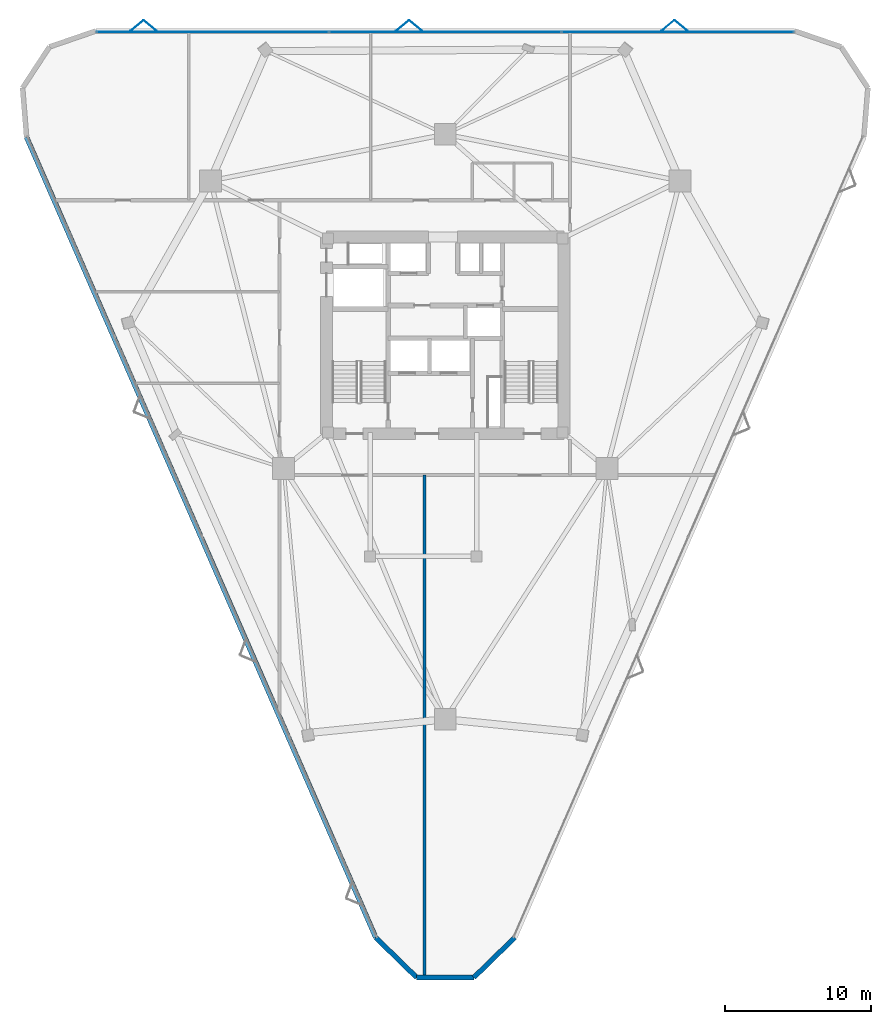
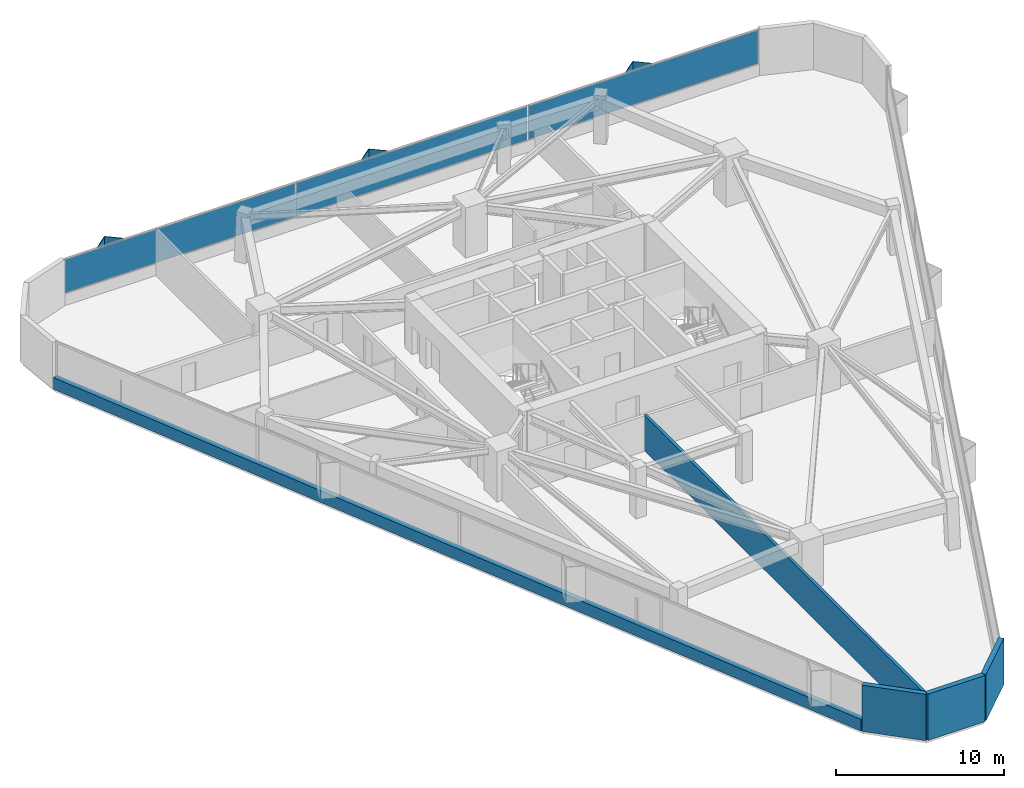
# One storey, part 11 of 14: 9 plates, 5 walls, 1 element without a shape of its own.
"""IFC4 building model written with IfcOpenShell, lengths in metres."""

from ifc_helpers import new_model, si_unit, direction, frame, frame_2d, origin, origin_2d, place, context, subcontext, project, spatial, rectangle, extrude, material, layer, layer_set, type_object, element, aggregate, save


model = new_model("IFC4")

# Units and contexts
model_context = context("Model", 3, precision=1e-05, world=origin(), true_north=direction((0.0, 1.0)))
body_context = subcontext(model_context, "Body", "Model", "MODEL_VIEW")
ifc_project = project(units=[si_unit("LENGTHUNIT", "METRE"), si_unit("AREAUNIT", "SQUARE_METRE"), si_unit("VOLUMEUNIT", "CUBIC_METRE"), si_unit("PLANEANGLEUNIT", "RADIAN"), si_unit("MASSUNIT", "GRAM", prefix="KILO")], contexts=[model_context])

# Site, building, storey
site_placement = place(None, origin())
site = spatial("IfcSite", under=ifc_project, at=site_placement, CompositionType="ELEMENT")
building_placement = place(site_placement, origin())
building = spatial("IfcBuilding", under=site, at=building_placement, Name="Talyreon Biosciences Tower", CompositionType="ELEMENT")
storey_placement = place(building_placement, frame((0.0, 0.0, 141.800048828125)))
storey = spatial("IfcBuildingStorey", under=building, at=storey_placement, Name="L37", CompositionType="ELEMENT", Elevation=141.800048828125)

# Curtain wall, plates
ifc_material_1 = material(Name="Thermally broken aluminium and low-E glazing", Category="aluminium")
ifc_layer_1 = layer(ifc_material_1, 0.18505859375)
ifc_layer_set_1 = layer_set([ifc_layer_1], Name="Thermally broken aluminium and low-E glazing")
curtain_wall_type = type_object("IfcCurtainWallType", Name="CurtainWall_Zone3Bioprocess", PredefinedType="NOTDEFINED", material=ifc_layer_set_1)
curtain_wall_placement = place(storey_placement, origin())
curtain_wall = element("IfcCurtainWall", 1, at=curtain_wall_placement, inside=storey, type_object=curtain_wall_type, Name="L37 Unitised Curtain Wall FCW-L37-04", PredefinedType="NOTDEFINED")
ifc_material_2 = material(Name="Triple-silver low-E insulated glazing", Category="glass")
ifc_layer_2 = layer(ifc_material_2, 0.031982421875)
ifc_layer_set_2 = layer_set([ifc_layer_2], Name="Triple-silver low-E insulated glazing")
plate_type_1 = type_object("IfcPlateType", Name="CWGlazingPanel_32", PredefinedType="CURTAIN_PANEL", material=ifc_layer_set_2)
plate_1_placement = place(storey_placement, frame((50.04443359375, 88.80615234375, 0.875), z_axis=(0.0, 0.0, 1.0), x_axis=(1.0, 0.0, 0.0)))
plate_1 = element("IfcPlate", 2, at=plate_1_placement, type_object=plate_type_1, Name="CW4 panel 1.1", PredefinedType="CURTAIN_PANEL", context=body_context, shape_type="SweptSolid", body=[
    extrude(rectangle(XDim=15.874267578125, YDim=0.031982421875, at=origin_2d()), origin(), (0.0, 0.0, 1.0), 2.43505859375),
])
plate_2_placement = place(storey_placement, frame((66.0, 88.80615234375, 0.875), z_axis=(0.0, 0.0, 1.0), x_axis=(1.0, 0.0, 0.0)))
plate_2 = element("IfcPlate", 3, at=plate_2_placement, type_object=plate_type_1, Name="CW4 panel 2.1", PredefinedType="CURTAIN_PANEL", context=body_context, shape_type="SweptSolid", body=[
    extrude(rectangle(XDim=15.90673828125, YDim=0.031982421875, at=origin_2d()), origin(), (0.0, 0.0, 1.0), 2.43505859375),
])
plate_3_placement = place(storey_placement, frame((81.95556640625, 88.80615234375, 0.875), z_axis=(0.0, 0.0, 1.0), x_axis=(1.0, 0.0, 0.0)))
plate_3 = element("IfcPlate", 4, at=plate_3_placement, type_object=plate_type_1, Name="CW4 panel 3.1", PredefinedType="CURTAIN_PANEL", context=body_context, shape_type="SweptSolid", body=[
    extrude(rectangle(XDim=15.874267578125, YDim=0.031982421875, at=origin_2d()), origin(), (0.0, 0.0, 1.0), 2.43505859375),
])
aggregate(curtain_wall, [plate_1, plate_2, plate_3])

# Plates
ifc_material_3 = material(Name="Ivory GFRC sunshade panel", Category="concrete")
ifc_layer_3 = layer(ifc_material_3, 0.044921875)
ifc_layer_set_3 = layer_set([ifc_layer_3], Name="Ivory GFRC sunshade panel")
plate_type_2 = type_object("IfcPlateType", Name="FoldedVSunshade_NorthFace_SUNSHADE", PredefinedType="USERDEFINED", material=ifc_layer_set_3)
for number, where, z_axis, x_axis, name in (
    (5, (44.8623046875, 89.24609375, 0.7900390625), (0.0, 0.0, 1.0), (0.771624583388, 0.636078220278, 0.0), "L37 Folded V-Sunshade Panel 04.01L"),
    (6, (45.76220703125, 89.24609375, 0.7900390625), (0.0, 0.0, 1.0), (0.771624583388, -0.636078220278, 0.0), "L37 Folded V-Sunshade Panel 04.01R"),
    (7, (63.062255859375, 89.24609375, 0.7900390625), (0.0, 0.0, 1.0), (0.771624583388, 0.636078220278, 0.0), "L37 Folded V-Sunshade Panel 04.02L"),
    (8, (63.96240234375, 89.24609375, 0.7900390625), (0.0, 0.0, 1.0), (0.771624583388, -0.636078220278, 0.0), "L37 Folded V-Sunshade Panel 04.02R"),
    (9, (81.26220703125, 89.24609375, 0.7900390625), (0.0, 0.0, 1.0), (0.771624583388, 0.636078220278, 0.0), "L37 Folded V-Sunshade Panel 04.03L"),
    (10, (82.162353515625, 89.24609375, 0.7900390625), (0.0, 0.0, 1.0), (0.771624583388, -0.636078220278, 0.0), "L37 Folded V-Sunshade Panel 04.03R"),
):
    element("IfcPlate", number, at=place(storey_placement, frame(where, z_axis=z_axis, x_axis=x_axis)), inside=storey, type_object=plate_type_2, Name=name, ObjectType="SUNSHADE", PredefinedType="USERDEFINED", context=body_context, shape_type="SweptSolid", body=[
        extrude(rectangle(XDim=1.14990234375, YDim=0.044921875, at=origin_2d()), origin(), (0.0, 0.0, 1.0), 2.5849609375),
    ])

# Walls
ifc_material_4 = material(Name="Gypsum fireboard acoustic stud", Category="gypsum")
ifc_layer_4 = layer(ifc_material_4, 0.199951171875)
ifc_layer_set_4 = layer_set([ifc_layer_4], Name="Gypsum fireboard acoustic stud")
wall_type_1 = type_object("IfcWallType", Name="ChemControlPartition_200", PredefinedType="PARTITIONING", material=ifc_layer_set_4)
wall_1_placement = place(storey_placement, frame((64.572021484375, 24.04150390625, 0.0), z_axis=(0.0, 0.0, 1.0), x_axis=(0.0, 1.0, 0.0)))
element("IfcWall", 11, at=wall_1_placement, inside=storey, type_object=wall_type_1, Name="L37 Interior Wall IW-L37-SDIV1", PredefinedType="PARTITIONING", context=body_context, shape_type="SweptSolid", body=[
    extrude(rectangle(XDim=34.37841796875, YDim=0.199951171875, at=frame_2d((17.189208984375, 0.0))), origin(), (0.0, 0.0, 1.0), 2.574951171875),
])
ifc_material_5 = material(Name="Precast concrete C45/55", Category="concrete")
ifc_layer_5 = layer(ifc_material_5, 0.340087890625)
ifc_layer_set_5 = layer_set([ifc_layer_5], Name="Precast concrete C45/55")
wall_type_2 = type_object("IfcWallType", Name="PrecastConcreteSpandrelWall_340", PredefinedType="STANDARD", material=ifc_layer_set_5)
wall_2_placement = place(storey_placement, frame((61.23388671875, 26.693603515625, 0.0), z_axis=(0.0, 0.0, 1.0), x_axis=(-0.399884020411, 0.916565747898, 0.0)))
element("IfcWall", 12, at=wall_2_placement, inside=storey, type_object=wall_type_2, Name="L37 Expressed Concrete Sill Wall 00", PredefinedType="STANDARD", context=body_context, shape_type="SweptSolid", body=[
    extrude(rectangle(XDim=59.911865234375, YDim=0.340087890625, at=frame_2d((29.9560546875, 0.0))), origin(), (0.0, 0.0, 1.0), 0.849853515625),
])
for number, where, z_axis, x_axis, name in (
    (13, (70.76611328125, 26.693603515625, 0.0), (0.0, 0.0, 1.0), (-0.715864707073, -0.698239014355, 0.0), "L37 Rounded-Corner Concrete Pier 09"),
    (14, (67.9599609375, 23.95654296875, 0.0), (0.0, 0.0, 1.0), (-1.0, 0.0, 0.0), "L37 Rounded-Corner Concrete Pier 10"),
    (15, (64.0400390625, 23.95654296875, 0.0), (0.0, 0.0, 1.0), (-0.715864707073, 0.698239014355, 0.0), "L37 Rounded-Corner Concrete Pier 11"),
):
    element("IfcWall", number, at=place(storey_placement, frame(where, z_axis=z_axis, x_axis=x_axis)), inside=storey, type_object=wall_type_2, Name=name, PredefinedType="STANDARD", context=body_context, shape_type="SweptSolid", body=[
        extrude(rectangle(XDim=3.919921875, YDim=0.340087890625, at=frame_2d((1.9599609375, 0.0))), origin(), (0.0, 0.0, 1.0), 3.375),
    ])

save(model, "model.ifc")
